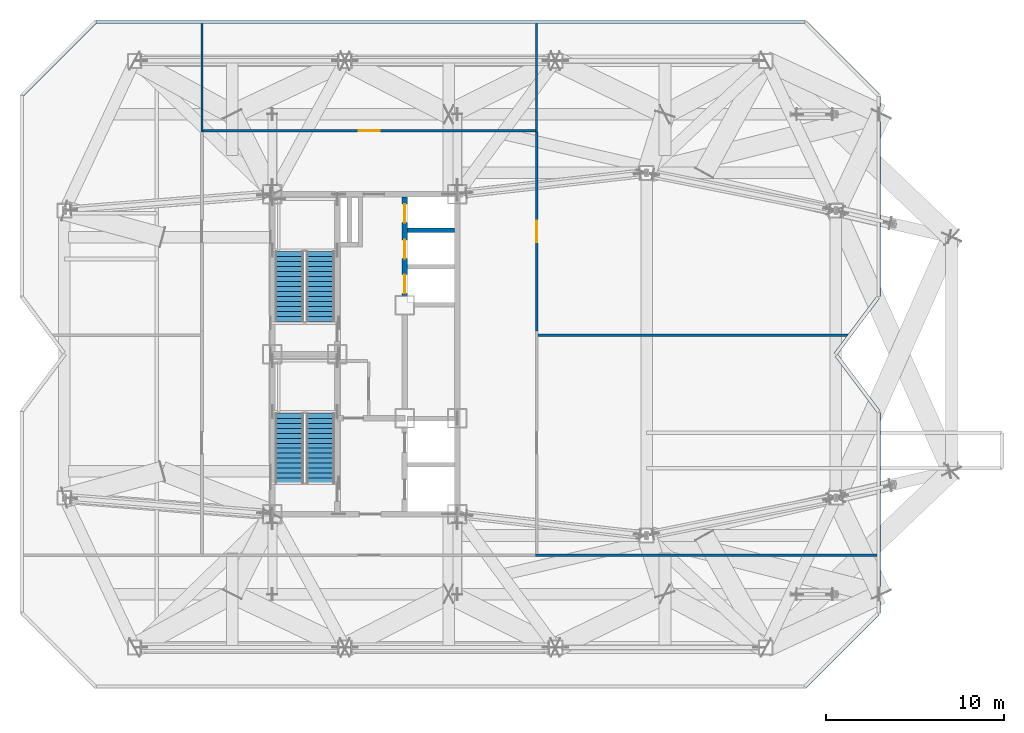
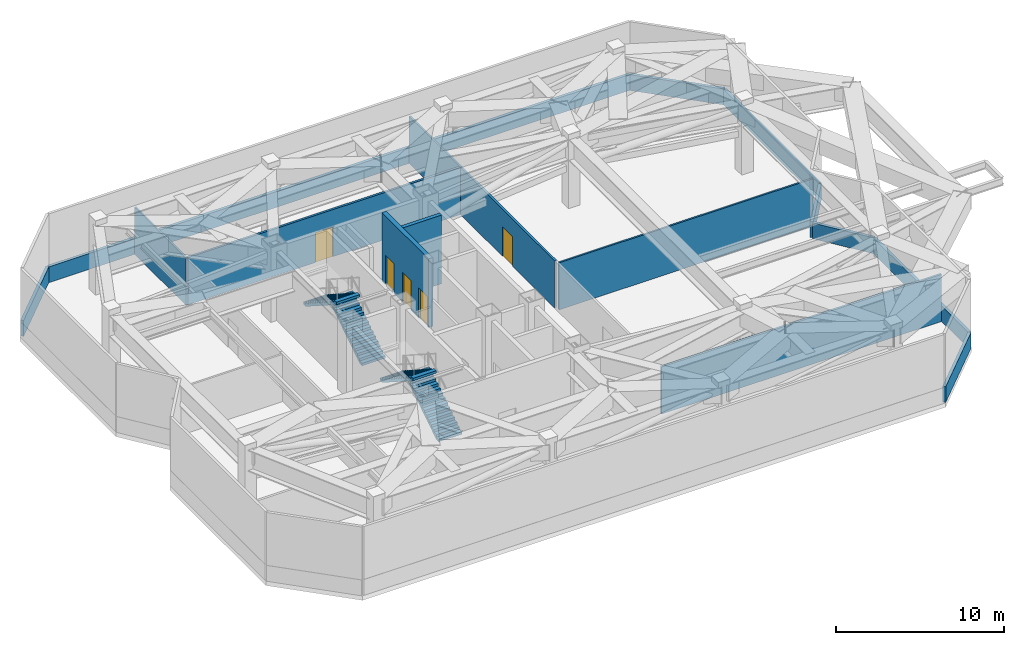
# One storey, part 15 of 19: 16 walls, 5 doors, 4 stair flights, 5 openings, 2 elements without a shape of their own.
"""IFC4 building model written with IfcOpenShell, lengths in metres."""

from ifc_helpers import new_model, si_unit, direction, frame, frame_2d, origin, place, context, subcontext, project, spatial, polyline, rectangle, outline, extrude, material, layer, layer_set, type_object, element, fill, aggregate, save


model = new_model("IFC4")

# Units and contexts
model_context = context("Model", 3, precision=1e-05, world=origin(), true_north=direction((0.0, 1.0)))
body_context = subcontext(model_context, "Body", "Model", "MODEL_VIEW")
ifc_project = project(units=[si_unit("LENGTHUNIT", "METRE"), si_unit("AREAUNIT", "SQUARE_METRE"), si_unit("VOLUMEUNIT", "CUBIC_METRE"), si_unit("PLANEANGLEUNIT", "RADIAN"), si_unit("MASSUNIT", "GRAM", prefix="KILO")], contexts=[model_context])

# Site, building, storey
site_placement = place(None, origin())
site = spatial("IfcSite", under=ifc_project, at=site_placement, CompositionType="ELEMENT")
building_placement = place(site_placement, origin())
building = spatial("IfcBuilding", under=site, at=building_placement, Name="Khamvora Tower", CompositionType="ELEMENT")
storey_placement = place(building_placement, frame((0.0, 0.0, 211.800048828125)))
storey = spatial("IfcBuildingStorey", under=building, at=storey_placement, Name="L54", CompositionType="ELEMENT", Elevation=211.800048828125)

# Wall, openings, doors
ifc_material_1 = material(Name="Concrete C50/60", Category="concrete")
ifc_layer_1 = layer(ifc_material_1, 0.300048828125)
ifc_layer_set_1 = layer_set([ifc_layer_1], Name="Concrete C50/60")
wall_type_1 = type_object("IfcWallType", Name="WAL-CORE-300", PredefinedType="SHEAR", material=ifc_layer_set_1)
wall_1_placement = place(storey_placement, frame((36.449951171875, 31.300048828125, 0.0), z_axis=(0.0, 0.0, 1.0), x_axis=(0.0, 1.0, 0.0)))
wall_1 = element("IfcWall", 1, at=wall_1_placement, inside=storey, type_object=wall_type_1, Name="L54 central core lift bank north wall", PredefinedType="SHEAR", context=body_context, shape_type="SweptSolid", body=[
    extrude(rectangle(XDim=5.5458984375, YDim=0.300048828125, at=frame_2d((2.77294921875, 0.0))), origin(), (0.0, 0.0, 1.0), 4.97998046875),
])
opening_1_placement = place(wall_1_placement, frame((0.1201171875, 0.0, 0.0)))
opening_1 = element("IfcOpeningElement", 2, at=opening_1_placement, cuts=wall_1, Name="Opening LD-PL", PredefinedType="OPENING", context=body_context, shape_type="SweptSolid", body=[
    extrude(rectangle(XDim=1.050048828125, YDim=2.14990234375, at=frame_2d((0.52490234375, 1.074951171875))), frame((0.0, 0.159912109375, 0.0), z_axis=(0.0, -1.0, 0.0), x_axis=(1.0, 0.0, 0.0)), (0.0, 0.0, 1.0), 0.320068359375),
])
opening_2_placement = place(wall_1_placement, frame((2.074951171875, 0.0, 0.0)))
opening_2 = element("IfcOpeningElement", 3, at=opening_2_placement, cuts=wall_1, Name="Opening LD-PL", PredefinedType="OPENING", context=body_context, shape_type="SweptSolid", body=[
    extrude(rectangle(XDim=1.050048828125, YDim=2.14990234375, at=frame_2d((0.52490234375, 1.074951171875))), frame((0.0, 0.159912109375, 0.0), z_axis=(0.0, -1.0, 0.0), x_axis=(1.0, 0.0, 0.0)), (0.0, 0.0, 1.0), 0.320068359375),
])
opening_3_placement = place(wall_1_placement, frame((4.094970703125, 0.0, 0.0)))
opening_3 = element("IfcOpeningElement", 4, at=opening_3_placement, cuts=wall_1, Name="Opening LD-PL", PredefinedType="OPENING", context=body_context, shape_type="SweptSolid", body=[
    extrude(rectangle(XDim=1.050048828125, YDim=2.14990234375, at=frame_2d((0.52490234375, 1.074951171875))), frame((0.0, 0.159912109375, 0.0), z_axis=(0.0, -1.0, 0.0), x_axis=(1.0, 0.0, 0.0)), (0.0, 0.0, 1.0), 0.320068359375),
])
ifc_material_2 = material(Name="Powder-Coated Steel and Hardwood Leaf", Category="steel")
door_type_1 = type_object("IfcDoorType", Name="DOR-LIFT-1050", OperationType="SLIDING_TO_LEFT", PredefinedType="DOOR", material=ifc_material_2)
door_1_placement = place(opening_1_placement, origin())
door_1 = element("IfcDoor", 5, at=door_1_placement, inside=storey, type_object=door_type_1, Name="L54 lift landing sliding door PH-01", OperationType="SLIDING_TO_LEFT", OverallHeight=2.14990234375, OverallWidth=1.050048828125, PredefinedType="DOOR", context=body_context, shape_type="SweptSolid", body=[
    extrude(rectangle(XDim=1.050048828125, YDim=2.14990234375, at=frame_2d((0.52490234375, 1.074951171875))), frame((0.0, 0.02490234375, 0.0), z_axis=(0.0, -1.0, 0.0), x_axis=(1.0, 0.0, 0.0)), (0.0, 0.0, 1.0), 0.050048828125),
])
fill(opening_1, door_1)
door_2_placement = place(opening_2_placement, origin())
door_2 = element("IfcDoor", 6, at=door_2_placement, inside=storey, type_object=door_type_1, Name="L54 lift landing sliding door PH-02", OperationType="SLIDING_TO_LEFT", OverallHeight=2.14990234375, OverallWidth=1.050048828125, PredefinedType="DOOR", context=body_context, shape_type="SweptSolid", body=[
    extrude(rectangle(XDim=1.050048828125, YDim=2.14990234375, at=frame_2d((0.52490234375, 1.074951171875))), frame((0.0, 0.02490234375, 0.0), z_axis=(0.0, -1.0, 0.0), x_axis=(1.0, 0.0, 0.0)), (0.0, 0.0, 1.0), 0.050048828125),
])
fill(opening_2, door_2)
door_3_placement = place(opening_3_placement, origin())
door_3 = element("IfcDoor", 7, at=door_3_placement, inside=storey, type_object=door_type_1, Name="L54 lift landing sliding door PH-03", OperationType="SLIDING_TO_LEFT", OverallHeight=2.14990234375, OverallWidth=1.050048828125, PredefinedType="DOOR", context=body_context, shape_type="SweptSolid", body=[
    extrude(rectangle(XDim=1.050048828125, YDim=2.14990234375, at=frame_2d((0.52490234375, 1.074951171875))), frame((0.0, 0.02490234375, 0.0), z_axis=(0.0, -1.0, 0.0), x_axis=(1.0, 0.0, 0.0)), (0.0, 0.0, 1.0), 0.050048828125),
])
fill(opening_3, door_3)

# Wall, opening, door
ifc_material_3 = material(Name="Fire-Rated Drywall and Steel Stud", Category="steel")
ifc_layer_2 = layer(ifc_material_3, 0.14990234375)
ifc_layer_set_2 = layer_set([ifc_layer_2], Name="Fire-Rated Drywall and Steel Stud")
wall_type_2 = type_object("IfcWallType", Name="WAL-CORR-150", PredefinedType="STANDARD", material=ifc_layer_set_2)
wall_2_placement = place(storey_placement, frame((43.864990234375, 40.5, 0.0), z_axis=(0.0, 0.0, 1.0), x_axis=(0.0, -1.0, 0.0)))
wall_2 = element("IfcWall", 8, at=wall_2_placement, inside=storey, type_object=wall_type_2, Name="L54 interior partition wall 007", PredefinedType="STANDARD", context=body_context, shape_type="SweptSolid", body=[
    extrude(rectangle(XDim=11.18603515625, YDim=0.14990234375, at=frame_2d((5.593017578125, 0.0))), origin(), (0.0, 0.0, 1.0), 3.419921875),
])
opening_4_placement = place(wall_2_placement, frame((4.992919921875, 0.0, 0.0)))
opening_4 = element("IfcOpeningElement", 9, at=opening_4_placement, cuts=wall_2, Name="Opening D-PL1", PredefinedType="OPENING", context=body_context, shape_type="SweptSolid", body=[
    extrude(rectangle(XDim=1.199951171875, YDim=2.14990234375, at=frame_2d((0.60009765625, 1.074951171875))), frame((0.0, 0.0849609375, 0.0), z_axis=(0.0, -1.0, 0.0), x_axis=(1.0, 0.0, 0.0)), (0.0, 0.0, 1.0), 0.169921875),
])
door_type_2 = type_object("IfcDoorType", Name="DOR-PLNT-1200", OperationType="NOTDEFINED", PredefinedType="DOOR", material=ifc_material_2)
door_4_placement = place(opening_4_placement, origin())
door_4 = element("IfcDoor", 10, at=door_4_placement, inside=storey, type_object=door_type_2, Name="L54 interior door PCOR-ELP", OperationType="SINGLE_SWING_RIGHT", OverallHeight=2.14990234375, OverallWidth=1.199951171875, PredefinedType="DOOR", context=body_context, shape_type="SweptSolid", body=[
    extrude(rectangle(XDim=1.199951171875, YDim=2.14990234375, at=frame_2d((0.60009765625, 1.074951171875))), frame((0.0, 0.02490234375, 0.0), z_axis=(0.0, -1.0, 0.0), x_axis=(1.0, 0.0, 0.0)), (0.0, 0.0, 1.0), 0.050048828125),
])
fill(opening_4, door_4)

wall_3_placement = place(storey_placement, frame((25.10009765625, 40.56494140625, 0.0), z_axis=(0.0, 0.0, 1.0), x_axis=(1.0, 0.0, 0.0)))
wall_3 = element("IfcWall", 11, at=wall_3_placement, inside=storey, type_object=wall_type_2, Name="L54 interior partition wall 008", PredefinedType="STANDARD", context=body_context, shape_type="SweptSolid", body=[
    extrude(rectangle(XDim=18.699951171875, YDim=0.14990234375, at=frame_2d((9.35009765625, 0.0))), origin(), (0.0, 0.0, 1.0), 3.419921875),
])
opening_5_placement = place(wall_3_placement, frame((8.75, 0.0, 0.0)))
opening_5 = element("IfcOpeningElement", 12, at=opening_5_placement, cuts=wall_3, Name="Opening D-PL1", PredefinedType="OPENING", context=body_context, shape_type="SweptSolid", body=[
    extrude(rectangle(XDim=1.199951171875, YDim=2.14990234375, at=frame_2d((0.60009765625, 1.074951171875))), frame((0.0, 0.0849609375, 0.0), z_axis=(0.0, -1.0, 0.0), x_axis=(1.0, 0.0, 0.0)), (0.0, 0.0, 1.0), 0.169921875),
])
door_5_placement = place(opening_5_placement, origin())
door_5 = element("IfcDoor", 13, at=door_5_placement, inside=storey, type_object=door_type_2, Name="L54 interior door PCOR-BMS", OperationType="SINGLE_SWING_LEFT", OverallHeight=2.14990234375, OverallWidth=1.199951171875, PredefinedType="DOOR", context=body_context, shape_type="SweptSolid", body=[
    extrude(rectangle(XDim=1.199951171875, YDim=2.14990234375, at=frame_2d((0.60009765625, 1.074951171875))), frame((0.0, 0.02490234375, 0.0), z_axis=(0.0, -1.0, 0.0), x_axis=(1.0, 0.0, 0.0)), (0.0, 0.0, 1.0), 0.050048828125),
])
fill(opening_5, door_5)

# Walls
wall_4_placement = place(storey_placement, frame((43.800048828125, 16.68505859375, 0.0), z_axis=(0.0, 0.0, 1.0), x_axis=(1.0, 0.0, 0.0)))
element("IfcWall", 14, at=wall_4_placement, inside=storey, type_object=wall_type_2, Name="L54 interior partition wall 010", PredefinedType="STANDARD", context=body_context, shape_type="SweptSolid", body=[
    extrude(rectangle(XDim=19.2080078125, YDim=0.14990234375, at=frame_2d((9.60400390625, 0.0))), origin(), (0.0, 0.0, 1.0), 3.419921875),
])
ifc_material_4 = material(Name="Precast concrete C40/50", Category="concrete")
ifc_layer_3 = layer(ifc_material_4, 0.199951171875)
ifc_layer_set_3 = layer_set([ifc_layer_3], Name="Precast concrete C40/50")
wall_type_3 = type_object("IfcWallType", Name="WAL-EXT-200", PredefinedType="STANDARD", material=ifc_layer_set_3)
wall_5_placement = place(storey_placement, frame((14.945068359375, 42.60400390625, 0.0), z_axis=(0.0, 0.0, 1.0), x_axis=(0.707106781187, 0.707106781187, 0.0)))
element("IfcWall", 15, at=wall_5_placement, inside=storey, type_object=wall_type_3, Name="L54 plant perimeter spandrel wall 06.1", PredefinedType="STANDARD", context=body_context, shape_type="SweptSolid", body=[
    extrude(rectangle(XDim=5.79248046875, YDim=0.199951171875, at=frame_2d((2.896240234375, 0.0))), origin(), (0.0, 0.0, 1.0), 1.14990234375),
])
wall_6_placement = place(storey_placement, frame((19.10205078125, 46.699951171875, 0.0), z_axis=(0.0, 0.0, 1.0), x_axis=(1.0, 0.0, 0.0)))
element("IfcWall", 16, at=wall_6_placement, inside=storey, type_object=wall_type_3, Name="L54 plant perimeter spandrel wall 07.1", PredefinedType="STANDARD", context=body_context, shape_type="SweptSolid", body=[
    extrude(rectangle(XDim=39.85693359375, YDim=0.199951171875, at=frame_2d((19.928466796875, 0.0))), origin(), (0.0, 0.0, 1.0), 1.14990234375),
])
wall_7_placement = place(storey_placement, frame((59.0029296875, 46.656005859375, 0.0), z_axis=(0.0, 0.0, 1.0), x_axis=(0.707127848917, -0.707085712828, 0.0)))
element("IfcWall", 17, at=wall_7_placement, inside=storey, type_object=wall_type_3, Name="L54 plant perimeter spandrel wall 08.1", PredefinedType="STANDARD", context=body_context, shape_type="SweptSolid", body=[
    extrude(rectangle(XDim=5.794189453125, YDim=0.199951171875, at=frame_2d((2.89697265625, 0.0))), origin(), (0.0, 0.0, 1.0), 1.14990234375),
])
wall_8_placement = place(storey_placement, frame((63.10009765625, 42.49609375, 0.0), z_axis=(0.0, 0.0, 1.0), x_axis=(0.0, -1.0, 0.0)))
element("IfcWall", 18, at=wall_8_placement, inside=storey, type_object=wall_type_3, Name="L54 plant perimeter spandrel wall 09.1", PredefinedType="STANDARD", context=body_context, shape_type="SweptSolid", body=[
    extrude(rectangle(XDim=11.26318359375, YDim=0.199951171875, at=frame_2d((5.631591796875, 0.0))), origin(), (0.0, 0.0, 1.0), 1.14990234375),
])
wall_9_placement = place(storey_placement, frame((63.069091796875, 31.19091796875, 0.0), z_axis=(0.0, 0.0, 1.0), x_axis=(-0.600137081448, -0.799897170561, 0.0)))
element("IfcWall", 19, at=wall_9_placement, inside=storey, type_object=wall_type_3, Name="L54 plant perimeter spandrel wall 10.1", PredefinedType="STANDARD", context=body_context, shape_type="SweptSolid", body=[
    extrude(rectangle(XDim=3.9892578125, YDim=0.199951171875, at=frame_2d((1.99462890625, 0.0))), origin(), (0.0, 0.0, 1.0), 1.14990234375),
])
wall_10_placement = place(storey_placement, frame((60.72705078125, 27.930908203125, 0.0), z_axis=(0.0, 0.0, 1.0), x_axis=(0.600029630681, -0.799977776132, 0.0)))
element("IfcWall", 20, at=wall_10_placement, inside=storey, type_object=wall_type_3, Name="L54 plant perimeter spandrel wall 11.1", PredefinedType="STANDARD", context=body_context, shape_type="SweptSolid", body=[
    extrude(rectangle(XDim=3.954833984375, YDim=0.199951171875, at=frame_2d((1.9775390625, 0.0))), origin(), (0.0, 0.0, 1.0), 1.14990234375),
])
wall_11_placement = place(storey_placement, frame((63.10009765625, 24.717041015625, 0.0), z_axis=(0.0, 0.0, 1.0), x_axis=(0.0, -1.0, 0.0)))
element("IfcWall", 21, at=wall_11_placement, inside=storey, type_object=wall_type_3, Name="L54 plant perimeter spandrel wall 12.1", PredefinedType="STANDARD", context=body_context, shape_type="SweptSolid", body=[
    extrude(rectangle(XDim=11.276123046875, YDim=0.199951171875, at=frame_2d((5.63818359375, 0.0))), origin(), (0.0, 0.0, 1.0), 1.14990234375),
])
wall_12_placement = place(storey_placement, frame((63.056884765625, 13.39794921875, 0.0), z_axis=(0.0, 0.0, 1.0), x_axis=(-0.707106781187, -0.707106781187, 0.0)))
element("IfcWall", 22, at=wall_12_placement, inside=storey, type_object=wall_type_3, Name="L54 plant perimeter spandrel wall 13.1", PredefinedType="STANDARD", context=body_context, shape_type="SweptSolid", body=[
    extrude(rectangle(XDim=5.79541015625, YDim=0.199951171875, at=frame_2d((2.897705078125, 0.0))), origin(), (0.0, 0.0, 1.0), 1.14990234375),
])
ifc_material_5 = material(Name="Gypsum Plasterboard Partition", Category="gypsum")
ifc_layer_4 = layer(ifc_material_5, 0.1201171875)
ifc_layer_set_4 = layer_set([ifc_layer_4], Name="Gypsum Plasterboard Partition")
wall_type_4 = type_object("IfcWallType", Name="WAL-PART-120", PredefinedType="PARTITIONING", material=ifc_layer_set_4)
wall_13_placement = place(storey_placement, frame((25.034912109375, 46.60791015625, 0.0), z_axis=(0.0, 0.0, 1.0), x_axis=(0.0, -1.0, 0.0)))
element("IfcWall", 23, at=wall_13_placement, inside=storey, type_object=wall_type_4, Name="L54 interior partition wall 012", PredefinedType="PARTITIONING", context=body_context, shape_type="SweptSolid", body=[
    extrude(rectangle(XDim=6.10791015625, YDim=0.1201171875, at=frame_2d((3.053955078125, 0.0))), origin(), (0.0, 0.0, 1.0), 3.419921875),
])
wall_14_placement = place(storey_placement, frame((43.931884765625, 29.06494140625, 0.0), z_axis=(0.0, 0.0, 1.0), x_axis=(1.0, 0.0, 0.0)))
element("IfcWall", 24, at=wall_14_placement, inside=storey, type_object=wall_type_4, Name="L54 interior partition wall 013", PredefinedType="PARTITIONING", context=body_context, shape_type="SweptSolid", body=[
    extrude(rectangle(XDim=17.438232421875, YDim=0.1201171875, at=frame_2d((8.71923828125, 0.0))), origin(), (0.0, 0.0, 1.0), 3.419921875),
])
wall_15_placement = place(storey_placement, frame((43.864990234375, 40.5, 0.0), z_axis=(0.0, 0.0, 1.0), x_axis=(0.0, 1.0, 0.0)))
element("IfcWall", 25, at=wall_15_placement, inside=storey, type_object=wall_type_4, Name="L54 interior partition wall 014", PredefinedType="PARTITIONING", context=body_context, shape_type="SweptSolid", body=[
    extrude(rectangle(XDim=6.10791015625, YDim=0.1201171875, at=frame_2d((3.053955078125, 0.0))), origin(), (0.0, 0.0, 1.0), 3.419921875),
])
ifc_material_6 = material(Name="Concrete C40/50", Category="concrete")
ifc_layer_5 = layer(ifc_material_6, 0.25)
ifc_layer_set_5 = layer_set([ifc_layer_5], Name="Concrete C40/50")
wall_type_5 = type_object("IfcWallType", Name="WAL-PODS-250", PredefinedType="SHEAR", material=ifc_layer_set_5)
wall_16_placement = place(storey_placement, frame((36.60400390625, 34.97509765625, 0.0), z_axis=(0.0, 0.0, 1.0), x_axis=(1.0, 0.0, 0.0)))
element("IfcWall", 26, at=wall_16_placement, inside=storey, type_object=wall_type_5, Name="L54 lift shaft divider wall PH-02", PredefinedType="SHEAR", context=body_context, shape_type="SweptSolid", body=[
    extrude(rectangle(XDim=2.64208984375, YDim=0.25, at=frame_2d((1.321044921875, 0.0))), origin(), (0.0, 0.0, 1.0), 4.97998046875),
])

# Stair, stair flights
stair_type_1 = type_object("IfcStairType", Name="STR-ST-01", PredefinedType="HALF_TURN_STAIR", material=ifc_material_6)
stair_1_placement = place(storey_placement, origin())
stair_1 = element("IfcStair", 27, at=stair_1_placement, inside=storey, type_object=stair_type_1, Name="L54 South Tower Exit Stair ST-01", PredefinedType="HALF_TURN_STAIR")
stair_flight_type_1 = type_object("IfcStairFlightType", Name="STF-ST-01", PredefinedType="STRAIGHT", material=ifc_material_6)
stair_flight_1_placement = place(storey_placement, frame((31.699951171875, 20.75, 0.0), z_axis=(0.0, 0.0, 1.0), x_axis=(0.0, 1.0, 0.0)))
stair_flight_1 = element("IfcStairFlight", 28, at=stair_flight_1_placement, type_object=stair_flight_type_1, Name="ST-01 flight 1", NumberOfRisers=15, NumberOfTreads=14, PredefinedType="STRAIGHT", RiserHeight=0.18, TreadLength=0.28, context=body_context, shape_type="SweptSolid", body=[
    extrude(outline(polyline([(0.0, 0.0), (0.0, 0.179931640625), (0.280029296875, 0.179931640625), (0.280029296875, 0.360107421875), (0.56005859375, 0.360107421875), (0.56005859375, 0.5400390625), (0.840087890625, 0.5400390625), (0.840087890625, 0.719970703125), (1.1201171875, 0.719970703125), (1.1201171875, 0.89990234375), (1.39990234375, 0.89990234375), (1.39990234375, 1.080078125), (1.679931640625, 1.080078125), (1.679931640625, 1.260009765625), (1.9599609375, 1.260009765625), (1.9599609375, 1.43994140625), (2.239990234375, 1.43994140625), (2.239990234375, 1.6201171875), (2.52001953125, 1.6201171875), (2.52001953125, 1.800048828125), (2.800048828125, 1.800048828125), (2.800048828125, 1.97998046875), (3.080078125, 1.97998046875), (3.080078125, 2.159912109375), (3.360107421875, 2.159912109375), (3.360107421875, 2.340087890625), (3.639892578125, 2.340087890625), (3.639892578125, 2.52001953125), (3.919921875, 2.52001953125), (3.919921875, 2.699951171875), (3.919921875, 2.341796875), (0.277099609375, 0.0), (0.0, 0.0)])), frame((0.0, 0.800048828125, 0.0), z_axis=(0.0, -1.0, 0.0), x_axis=(1.0, 0.0, 0.0)), (0.0, 0.0, 1.0), 1.60009765625),
])
stair_flight_2_placement = place(storey_placement, frame((29.949951171875, 24.669921875, 2.699951171875), z_axis=(0.0, 0.0, 1.0), x_axis=(0.0, -1.0, 0.0)))
stair_flight_2 = element("IfcStairFlight", 29, at=stair_flight_2_placement, type_object=stair_flight_type_1, Name="ST-01 flight 2", NumberOfRisers=15, NumberOfTreads=14, PredefinedType="STRAIGHT", RiserHeight=0.18, TreadLength=0.28, context=body_context, shape_type="SweptSolid", body=[
    extrude(outline(polyline([(0.0, 0.0), (0.0, 0.179931640625), (0.280029296875, 0.179931640625), (0.280029296875, 0.360107421875), (0.56005859375, 0.360107421875), (0.56005859375, 0.5400390625), (0.840087890625, 0.5400390625), (0.840087890625, 0.719970703125), (1.1201171875, 0.719970703125), (1.1201171875, 0.89990234375), (1.39990234375, 0.89990234375), (1.39990234375, 1.080078125), (1.679931640625, 1.080078125), (1.679931640625, 1.260009765625), (1.9599609375, 1.260009765625), (1.9599609375, 1.43994140625), (2.239990234375, 1.43994140625), (2.239990234375, 1.6201171875), (2.52001953125, 1.6201171875), (2.52001953125, 1.800048828125), (2.800048828125, 1.800048828125), (2.800048828125, 1.97998046875), (3.080078125, 1.97998046875), (3.080078125, 2.159912109375), (3.360107421875, 2.159912109375), (3.360107421875, 2.340087890625), (3.639892578125, 2.340087890625), (3.639892578125, 2.52001953125), (3.919921875, 2.52001953125), (3.919921875, 2.699951171875), (3.919921875, 2.341796875), (0.277099609375, 0.0), (0.0, 0.0)])), frame((0.0, 0.800048828125, 0.0), z_axis=(0.0, -1.0, 0.0), x_axis=(1.0, 0.0, 0.0)), (0.0, 0.0, 1.0), 1.60009765625),
])
aggregate(stair_1, [stair_flight_1, stair_flight_2])

stair_type_2 = type_object("IfcStairType", Name="STR-ST-02", PredefinedType="HALF_TURN_STAIR", material=ifc_material_6)
stair_2_placement = place(storey_placement, origin())
stair_2 = element("IfcStair", 30, at=stair_2_placement, inside=storey, type_object=stair_type_2, Name="L54 North Tower Exit Stair ST-02", PredefinedType="HALF_TURN_STAIR")
stair_flight_type_2 = type_object("IfcStairFlightType", Name="STF-ST-02", PredefinedType="STRAIGHT", material=ifc_material_6)
stair_flight_3_placement = place(storey_placement, frame((31.699951171875, 29.85009765625, 0.0), z_axis=(0.0, 0.0, 1.0), x_axis=(0.0, 1.0, 0.0)))
stair_flight_3 = element("IfcStairFlight", 31, at=stair_flight_3_placement, type_object=stair_flight_type_2, Name="ST-02 flight 1", NumberOfRisers=15, NumberOfTreads=14, PredefinedType="STRAIGHT", RiserHeight=0.18, TreadLength=0.28, context=body_context, shape_type="SweptSolid", body=[
    extrude(outline(polyline([(0.0, 0.0), (0.0, 0.179931640625), (0.280029296875, 0.179931640625), (0.280029296875, 0.360107421875), (0.56005859375, 0.360107421875), (0.56005859375, 0.5400390625), (0.840087890625, 0.5400390625), (0.840087890625, 0.719970703125), (1.1201171875, 0.719970703125), (1.1201171875, 0.89990234375), (1.39990234375, 0.89990234375), (1.39990234375, 1.080078125), (1.679931640625, 1.080078125), (1.679931640625, 1.260009765625), (1.9599609375, 1.260009765625), (1.9599609375, 1.43994140625), (2.239990234375, 1.43994140625), (2.239990234375, 1.6201171875), (2.52001953125, 1.6201171875), (2.52001953125, 1.800048828125), (2.800048828125, 1.800048828125), (2.800048828125, 1.97998046875), (3.080078125, 1.97998046875), (3.080078125, 2.159912109375), (3.360107421875, 2.159912109375), (3.360107421875, 2.340087890625), (3.639892578125, 2.340087890625), (3.639892578125, 2.52001953125), (3.919921875, 2.52001953125), (3.919921875, 2.699951171875), (3.919921875, 2.341796875), (0.277099609375, 0.0), (0.0, 0.0)])), frame((0.0, 0.800048828125, 0.0), z_axis=(0.0, -1.0, 0.0), x_axis=(1.0, 0.0, 0.0)), (0.0, 0.0, 1.0), 1.60009765625),
])
stair_flight_4_placement = place(storey_placement, frame((29.949951171875, 33.77001953125, 2.699951171875), z_axis=(0.0, 0.0, 1.0), x_axis=(0.0, -1.0, 0.0)))
stair_flight_4 = element("IfcStairFlight", 32, at=stair_flight_4_placement, type_object=stair_flight_type_2, Name="ST-02 flight 2", NumberOfRisers=15, NumberOfTreads=14, PredefinedType="STRAIGHT", RiserHeight=0.18, TreadLength=0.28, context=body_context, shape_type="SweptSolid", body=[
    extrude(outline(polyline([(0.0, 0.0), (0.0, 0.179931640625), (0.280029296875, 0.179931640625), (0.280029296875, 0.360107421875), (0.56005859375, 0.360107421875), (0.56005859375, 0.5400390625), (0.840087890625, 0.5400390625), (0.840087890625, 0.719970703125), (1.1201171875, 0.719970703125), (1.1201171875, 0.89990234375), (1.39990234375, 0.89990234375), (1.39990234375, 1.080078125), (1.679931640625, 1.080078125), (1.679931640625, 1.260009765625), (1.9599609375, 1.260009765625), (1.9599609375, 1.43994140625), (2.239990234375, 1.43994140625), (2.239990234375, 1.6201171875), (2.52001953125, 1.6201171875), (2.52001953125, 1.800048828125), (2.800048828125, 1.800048828125), (2.800048828125, 1.97998046875), (3.080078125, 1.97998046875), (3.080078125, 2.159912109375), (3.360107421875, 2.159912109375), (3.360107421875, 2.340087890625), (3.639892578125, 2.340087890625), (3.639892578125, 2.52001953125), (3.919921875, 2.52001953125), (3.919921875, 2.699951171875), (3.919921875, 2.341796875), (0.277099609375, 0.0), (0.0, 0.0)])), frame((0.0, 0.800048828125, 0.0), z_axis=(0.0, -1.0, 0.0), x_axis=(1.0, 0.0, 0.0)), (0.0, 0.0, 1.0), 1.60009765625),
])
aggregate(stair_2, [stair_flight_3, stair_flight_4])

save(model, "model.ifc")
